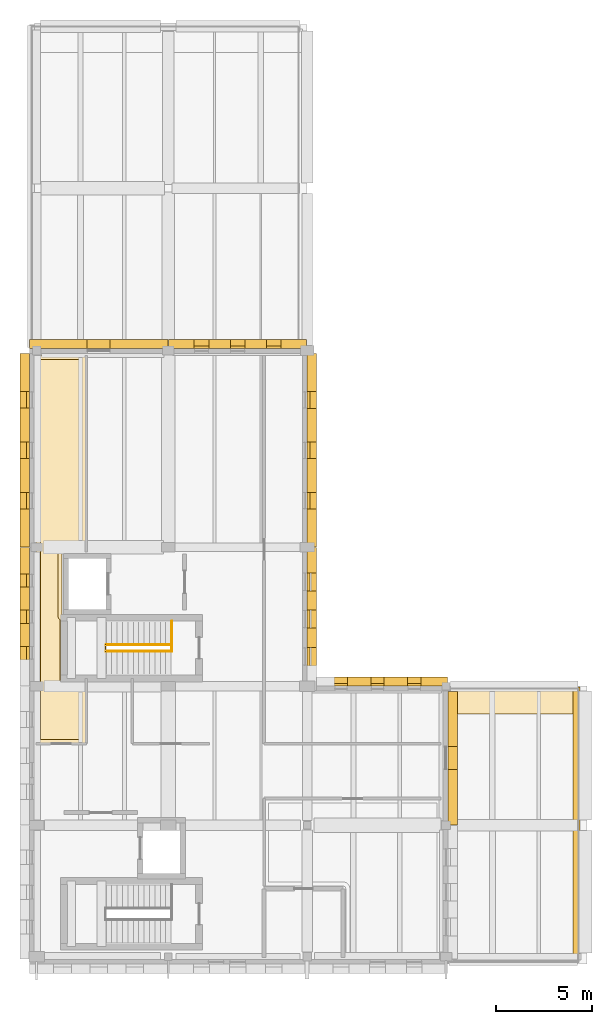
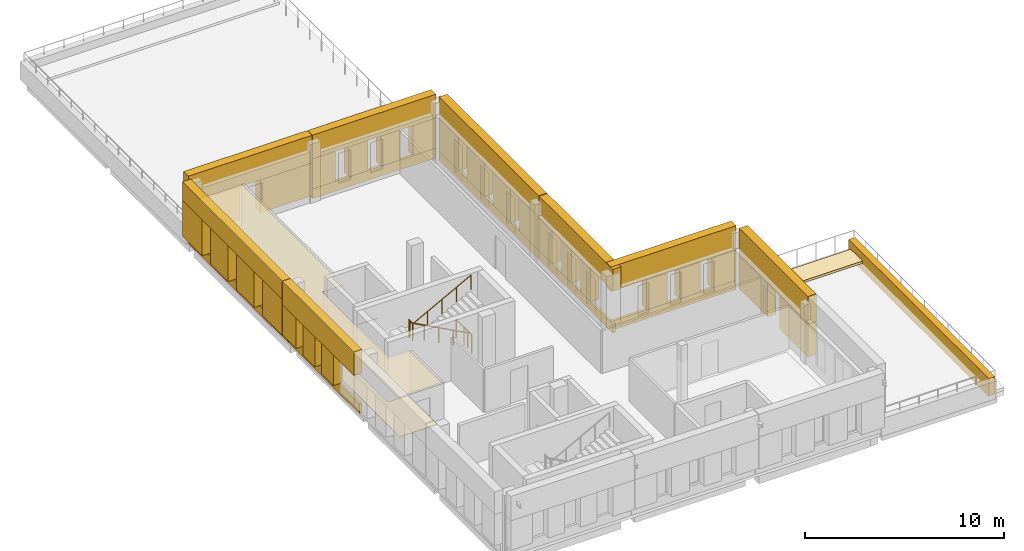
# One storey, part 7 of 8: 43 coverings, 4 railings.
"""IFC4 building model written with IfcOpenShell, lengths in metres."""

from ifc_helpers import new_model, si_unit, direction, frame, origin, origin_2d, place, context, subcontext, project, spatial, polyline, circle, outline, extrude, material, layer, layer_set, type_object, element, save


model = new_model("IFC4")

# Units and contexts
model_context = context("Model", 3, precision=1e-05, world=origin(), true_north=direction((0.0, 1.0)))
body_context = subcontext(model_context, "Body", "Model", "MODEL_VIEW")
ifc_project = project(units=[si_unit("LENGTHUNIT", "METRE"), si_unit("AREAUNIT", "SQUARE_METRE"), si_unit("VOLUMEUNIT", "CUBIC_METRE"), si_unit("PLANEANGLEUNIT", "RADIAN"), si_unit("MASSUNIT", "GRAM", prefix="KILO")], contexts=[model_context])

# Site, building, storey
site_placement = place(None, origin())
site = spatial("IfcSite", under=ifc_project, at=site_placement, CompositionType="ELEMENT")
building_placement = place(site_placement, origin())
building = spatial("IfcBuilding", under=site, at=building_placement, Name="Vardoun Plaza Health Centre", CompositionType="ELEMENT")
storey_placement = place(building_placement, frame((0.0, 0.0, 21.14990234375)))
storey = spatial("IfcBuildingStorey", under=building, at=storey_placement, Name="L05", CompositionType="ELEMENT", Elevation=21.14990234375)

# Coverings
ifc_material_1 = material(Name="Hygienic Acoustic Mineral-Fibre Ceiling", Category="concrete")
ifc_layer_1 = layer(ifc_material_1, 0.02490234375)
ifc_layer_set_1 = layer_set([ifc_layer_1], Name="Hygienic Acoustic Mineral-Fibre Ceiling")
covering_type_1 = type_object("IfcCoveringType", Name="CL-01", PredefinedType="CEILING", material=ifc_layer_set_1)
covering_1_placement = place(storey_placement, frame((0.0, 0.0, 2.580078125)))
element("IfcCovering", 1, at=covering_1_placement, inside=storey, type_object=covering_type_1, Name="Vaccination Immunisation Room Acoustic Ceiling", PredefinedType="CEILING", context=body_context, shape_type="SweptSolid", body=[
    extrude(outline(polyline([(4.860107421875, 36.0400390625), (7.449951171875, 36.0400390625), (7.449951171875, 25.860107421875), (6.199951171875, 25.860107421875), (6.198974609375, 25.860107421875), (6.197998046875, 25.85986328125), (6.197021484375, 25.859619140625), (6.1962890625, 25.859130859375), (6.1953125, 25.85888671875), (6.1943359375, 25.8583984375), (6.193603515625, 25.857666015625), (6.19287109375, 25.857177734375), (6.1923828125, 25.856201171875), (6.191650390625, 25.855712890625), (6.191162109375, 25.854736328125), (6.19091796875, 25.853759765625), (6.1904296875, 25.852783203125), (6.190185546875, 25.85205078125), (6.18994140625, 25.85107421875), (6.18994140625, 25.85009765625), (6.18994140625, 22.550048828125), (6.18994140625, 22.549072265625), (6.190185546875, 22.548095703125), (6.1904296875, 22.547119140625), (6.19091796875, 22.546142578125), (6.191162109375, 22.54541015625), (6.191650390625, 22.54443359375), (6.1923828125, 22.543701171875), (6.19287109375, 22.54296875), (6.193603515625, 22.542236328125), (6.1943359375, 22.541748046875), (6.1953125, 22.541259765625), (6.1962890625, 22.540771484375), (6.197021484375, 22.540283203125), (6.197998046875, 22.540283203125), (6.198974609375, 22.5400390625), (6.199951171875, 22.5400390625), (7.449951171875, 22.5400390625), (7.449951171875, 22.4599609375), (6.300048828125, 22.4599609375), (6.299072265625, 22.4599609375), (6.298095703125, 22.459716796875), (6.297119140625, 22.459716796875), (6.296142578125, 22.459228515625), (6.29541015625, 22.458740234375), (6.29443359375, 22.458251953125), (6.293701171875, 22.457763671875), (6.29296875, 22.45703125), (6.292236328125, 22.456298828125), (6.291748046875, 22.45556640625), (6.291259765625, 22.45458984375), (6.290771484375, 22.453857421875), (6.290283203125, 22.452880859375), (6.290283203125, 22.451904296875), (6.2900390625, 22.450927734375), (6.2900390625, 22.449951171875), (6.2900390625, 19.300048828125), (6.2900390625, 19.299072265625), (6.290283203125, 19.298095703125), (6.290283203125, 19.297119140625), (6.290771484375, 19.296142578125), (6.291259765625, 19.29541015625), (6.291748046875, 19.29443359375), (6.292236328125, 19.293701171875), (6.29296875, 19.29296875), (6.293701171875, 19.292236328125), (6.29443359375, 19.291748046875), (6.29541015625, 19.291259765625), (6.296142578125, 19.290771484375), (6.297119140625, 19.290283203125), (6.298095703125, 19.290283203125), (6.299072265625, 19.2900390625), (6.300048828125, 19.2900390625), (7.449951171875, 19.2900390625), (7.449951171875, 15.929931640625), (4.860107421875, 15.929931640625), (4.860107421875, 36.0400390625)])), origin(), (0.0, 0.0, 1.0), 0.02490234375),
])
ifc_material_2 = material(Name="Pale Limestone Concrete C35/45", Category="masonry")
ifc_layer_2 = layer(ifc_material_2, 0.080078125)
ifc_layer_set_2 = layer_set([ifc_layer_2], Name="Pale Limestone Concrete C35/45")
covering_type_2 = type_object("IfcCoveringType", Name="CL-EXT1", PredefinedType="CLADDING", material=ifc_layer_set_2)
covering_2_placement = place(storey_placement, frame((0.0, 0.0, 2.210205078125)))
element("IfcCovering", 2, at=covering_2_placement, inside=storey, type_object=covering_type_2, Name="V2 L05 Sculpted Concrete Eyebrow Hood 568", PredefinedType="CLADDING", context=body_context, shape_type="SweptSolid", body=[
    extrude(outline(polyline([(4.52001953125, 36.39990234375), (11.679931640625, 36.39990234375), (11.679931640625, 36.8798828125), (4.52001953125, 36.8798828125), (4.52001953125, 36.39990234375)])), origin(), (0.0, 0.0, 1.0), 1.68994140625),
])
covering_3_placement = place(storey_placement, frame((0.0, 0.0, 0.190185546875)))
element("IfcCovering", 3, at=covering_3_placement, inside=storey, type_object=covering_type_2, Name="V2 L05 Deep-Punched Slot Concrete Reveal Pier 569", PredefinedType="CLADDING", context=body_context, shape_type="SweptSolid", body=[
    extrude(outline(polyline([(4.52001953125, 36.39990234375), (7.5048828125, 36.39990234375), (7.5048828125, 36.8798828125), (4.52001953125, 36.8798828125), (4.52001953125, 36.39990234375)])), origin(), (0.0, 0.0, 1.0), 2.02001953125),
])
covering_4_placement = place(storey_placement, frame((0.0, 0.0, 0.190185546875)))
element("IfcCovering", 4, at=covering_4_placement, inside=storey, type_object=covering_type_2, Name="V2 L05 Deep-Punched Slot Concrete Reveal Pier 570", PredefinedType="CLADDING", context=body_context, shape_type="SweptSolid", body=[
    extrude(outline(polyline([(8.695068359375, 36.39990234375), (11.679931640625, 36.39990234375), (11.679931640625, 36.8798828125), (8.695068359375, 36.8798828125), (8.695068359375, 36.39990234375)])), origin(), (0.0, 0.0, 1.0), 2.02001953125),
])
covering_5_placement = place(storey_placement, origin())
element("IfcCovering", 5, at=covering_5_placement, inside=storey, type_object=covering_type_2, Name="V2 L05 Pale Concrete Sill Band 571", PredefinedType="CLADDING", context=body_context, shape_type="SweptSolid", body=[
    extrude(outline(polyline([(11.719970703125, 36.39990234375), (18.8798828125, 36.39990234375), (18.8798828125, 36.5400390625), (11.719970703125, 36.5400390625), (11.719970703125, 36.39990234375)])), origin(), (0.0, 0.0, 1.0), 0.60009765625),
])
covering_6_placement = place(storey_placement, frame((0.0, 0.0, 2.4501953125)))
element("IfcCovering", 6, at=covering_6_placement, inside=storey, type_object=covering_type_2, Name="V2 L05 Sculpted Concrete Eyebrow Hood 572", PredefinedType="CLADDING", context=body_context, shape_type="SweptSolid", body=[
    extrude(outline(polyline([(11.719970703125, 36.39990234375), (18.8798828125, 36.39990234375), (18.8798828125, 36.8798828125), (11.719970703125, 36.8798828125), (11.719970703125, 36.39990234375)])), origin(), (0.0, 0.0, 1.0), 1.449951171875),
])
covering_7_placement = place(storey_placement, frame((0.0, 0.0, 0.60009765625)))
element("IfcCovering", 7, at=covering_7_placement, inside=storey, type_object=covering_type_2, Name="V2 L05 Deep-Punched Slot Concrete Reveal Pier 573", PredefinedType="CLADDING", context=body_context, shape_type="SweptSolid", body=[
    extrude(outline(polyline([(11.719970703125, 36.39990234375), (13.048095703125, 36.39990234375), (13.048095703125, 36.8798828125), (11.719970703125, 36.8798828125), (11.719970703125, 36.39990234375)])), origin(), (0.0, 0.0, 1.0), 1.85009765625),
])
covering_8_placement = place(storey_placement, frame((0.0, 0.0, 0.60009765625)))
element("IfcCovering", 8, at=covering_8_placement, inside=storey, type_object=covering_type_2, Name="V2 L05 Deep-Punched Slot Concrete Reveal Pier 574", PredefinedType="CLADDING", context=body_context, shape_type="SweptSolid", body=[
    extrude(outline(polyline([(13.80810546875, 36.39990234375), (14.919921875, 36.39990234375), (14.919921875, 36.8798828125), (13.80810546875, 36.8798828125), (13.80810546875, 36.39990234375)])), origin(), (0.0, 0.0, 1.0), 1.85009765625),
])
covering_9_placement = place(storey_placement, frame((0.0, 0.0, 0.60009765625)))
element("IfcCovering", 9, at=covering_9_placement, inside=storey, type_object=covering_type_2, Name="V2 L05 Deep-Punched Slot Concrete Reveal Pier 575", PredefinedType="CLADDING", context=body_context, shape_type="SweptSolid", body=[
    extrude(outline(polyline([(15.679931640625, 36.39990234375), (16.7919921875, 36.39990234375), (16.7919921875, 36.8798828125), (15.679931640625, 36.8798828125), (15.679931640625, 36.39990234375)])), origin(), (0.0, 0.0, 1.0), 1.85009765625),
])
covering_10_placement = place(storey_placement, frame((0.0, 0.0, 0.60009765625)))
element("IfcCovering", 10, at=covering_10_placement, inside=storey, type_object=covering_type_2, Name="V2 L05 Deep-Punched Slot Concrete Reveal Pier 576", PredefinedType="CLADDING", context=body_context, shape_type="SweptSolid", body=[
    extrude(outline(polyline([(17.552001953125, 36.39990234375), (18.8798828125, 36.39990234375), (18.8798828125, 36.8798828125), (17.552001953125, 36.8798828125), (17.552001953125, 36.39990234375)])), origin(), (0.0, 0.0, 1.0), 1.85009765625),
])
covering_11_placement = place(storey_placement, origin())
element("IfcCovering", 11, at=covering_11_placement, inside=storey, type_object=covering_type_2, Name="V2 L05 Pale Concrete Sill Band 577", PredefinedType="CLADDING", context=body_context, shape_type="SweptSolid", body=[
    extrude(outline(polyline([(18.89990234375, 36.1298828125), (18.89990234375, 26.1201171875), (19.0400390625, 26.1201171875), (19.0400390625, 36.1298828125), (18.89990234375, 36.1298828125)])), origin(), (0.0, 0.0, 1.0), 0.550048828125),
])
covering_12_placement = place(storey_placement, frame((0.0, 0.0, 2.610107421875)))
element("IfcCovering", 12, at=covering_12_placement, inside=storey, type_object=covering_type_2, Name="V2 L05 Sculpted Concrete Eyebrow Hood 578", PredefinedType="CLADDING", context=body_context, shape_type="SweptSolid", body=[
    extrude(outline(polyline([(18.89990234375, 36.1298828125), (18.89990234375, 26.1201171875), (19.3798828125, 26.1201171875), (19.3798828125, 36.1298828125), (18.89990234375, 36.1298828125)])), origin(), (0.0, 0.0, 1.0), 1.2900390625),
])
covering_13_placement = place(storey_placement, frame((0.0, 0.0, 0.550048828125)))
element("IfcCovering", 13, at=covering_13_placement, inside=storey, type_object=covering_type_2, Name="V2 L05 Deep-Punched Slot Concrete Reveal Pier 579", PredefinedType="CLADDING", context=body_context, shape_type="SweptSolid", body=[
    extrude(outline(polyline([(18.89990234375, 36.1298828125), (18.89990234375, 34.173095703125), (19.3798828125, 34.173095703125), (19.3798828125, 36.1298828125), (18.89990234375, 36.1298828125)])), origin(), (0.0, 0.0, 1.0), 2.06005859375),
])
covering_14_placement = place(storey_placement, frame((0.0, 0.0, 0.550048828125)))
element("IfcCovering", 14, at=covering_14_placement, inside=storey, type_object=covering_type_2, Name="V2 L05 Deep-Punched Slot Concrete Reveal Pier 580", PredefinedType="CLADDING", context=body_context, shape_type="SweptSolid", body=[
    extrude(outline(polyline([(18.89990234375, 33.302978515625), (18.89990234375, 31.56005859375), (19.3798828125, 31.56005859375), (19.3798828125, 33.302978515625), (18.89990234375, 33.302978515625)])), origin(), (0.0, 0.0, 1.0), 2.06005859375),
])
covering_15_placement = place(storey_placement, frame((0.0, 0.0, 0.550048828125)))
element("IfcCovering", 15, at=covering_15_placement, inside=storey, type_object=covering_type_2, Name="V2 L05 Deep-Punched Slot Concrete Reveal Pier 581", PredefinedType="CLADDING", context=body_context, shape_type="SweptSolid", body=[
    extrude(outline(polyline([(18.89990234375, 30.68994140625), (18.89990234375, 28.947021484375), (19.3798828125, 28.947021484375), (19.3798828125, 30.68994140625), (18.89990234375, 30.68994140625)])), origin(), (0.0, 0.0, 1.0), 2.06005859375),
])
covering_16_placement = place(storey_placement, frame((0.0, 0.0, 0.550048828125)))
element("IfcCovering", 16, at=covering_16_placement, inside=storey, type_object=covering_type_2, Name="V2 L05 Deep-Punched Slot Concrete Reveal Pier 582", PredefinedType="CLADDING", context=body_context, shape_type="SweptSolid", body=[
    extrude(outline(polyline([(18.89990234375, 28.076904296875), (18.89990234375, 26.1201171875), (19.3798828125, 26.1201171875), (19.3798828125, 28.076904296875), (18.89990234375, 28.076904296875)])), origin(), (0.0, 0.0, 1.0), 2.06005859375),
])
covering_17_placement = place(storey_placement, origin())
element("IfcCovering", 17, at=covering_17_placement, inside=storey, type_object=covering_type_2, Name="V2 L05 Pale Concrete Sill Band 583", PredefinedType="CLADDING", context=body_context, shape_type="SweptSolid", body=[
    extrude(outline(polyline([(18.89990234375, 26.080078125), (18.89990234375, 18.669921875), (19.0400390625, 18.669921875), (19.0400390625, 26.080078125), (18.89990234375, 26.080078125)])), origin(), (0.0, 0.0, 1.0), 0.550048828125),
])
covering_18_placement = place(storey_placement, frame((0.0, 0.0, 2.570068359375)))
element("IfcCovering", 18, at=covering_18_placement, inside=storey, type_object=covering_type_2, Name="V2 L05 Sculpted Concrete Eyebrow Hood 584", PredefinedType="CLADDING", context=body_context, shape_type="SweptSolid", body=[
    extrude(outline(polyline([(18.89990234375, 26.080078125), (18.89990234375, 18.669921875), (19.3798828125, 18.669921875), (19.3798828125, 26.080078125), (18.89990234375, 26.080078125)])), origin(), (0.0, 0.0, 1.0), 1.330078125),
])
covering_19_placement = place(storey_placement, frame((0.0, 0.0, 0.550048828125)))
element("IfcCovering", 19, at=covering_19_placement, inside=storey, type_object=covering_type_2, Name="V2 L05 Deep-Punched Slot Concrete Reveal Pier 585", PredefinedType="CLADDING", context=body_context, shape_type="SweptSolid", body=[
    extrude(outline(polyline([(18.89990234375, 26.080078125), (18.89990234375, 24.777099609375), (19.3798828125, 24.777099609375), (19.3798828125, 26.080078125), (18.89990234375, 26.080078125)])), origin(), (0.0, 0.0, 1.0), 2.02001953125),
])
covering_20_placement = place(storey_placement, frame((0.0, 0.0, 0.550048828125)))
element("IfcCovering", 20, at=covering_20_placement, inside=storey, type_object=covering_type_2, Name="V2 L05 Deep-Punched Slot Concrete Reveal Pier 586", PredefinedType="CLADDING", context=body_context, shape_type="SweptSolid", body=[
    extrude(outline(polyline([(18.89990234375, 23.846923828125), (18.89990234375, 22.840087890625), (19.3798828125, 22.840087890625), (19.3798828125, 23.846923828125), (18.89990234375, 23.846923828125)])), origin(), (0.0, 0.0, 1.0), 2.02001953125),
])
covering_21_placement = place(storey_placement, frame((0.0, 0.0, 0.550048828125)))
element("IfcCovering", 21, at=covering_21_placement, inside=storey, type_object=covering_type_2, Name="V2 L05 Deep-Punched Slot Concrete Reveal Pier 587", PredefinedType="CLADDING", context=body_context, shape_type="SweptSolid", body=[
    extrude(outline(polyline([(18.89990234375, 21.909912109375), (18.89990234375, 20.903076171875), (19.3798828125, 20.903076171875), (19.3798828125, 21.909912109375), (18.89990234375, 21.909912109375)])), origin(), (0.0, 0.0, 1.0), 2.02001953125),
])
covering_22_placement = place(storey_placement, origin())
element("IfcCovering", 22, at=covering_22_placement, inside=storey, type_object=covering_type_2, Name="V2 L05 Pale Concrete Sill Band 589", PredefinedType="CLADDING", context=body_context, shape_type="SweptSolid", body=[
    extrude(outline(polyline([(18.919921875, 18.89990234375), (26.179931640625, 18.89990234375), (26.179931640625, 19.0400390625), (18.919921875, 19.0400390625), (18.919921875, 18.89990234375)])), origin(), (0.0, 0.0, 1.0), 0.550048828125),
])
covering_23_placement = place(storey_placement, frame((0.0, 0.0, 2.400146484375)))
element("IfcCovering", 23, at=covering_23_placement, inside=storey, type_object=covering_type_2, Name="V2 L05 Sculpted Concrete Eyebrow Hood 590", PredefinedType="CLADDING", context=body_context, shape_type="SweptSolid", body=[
    extrude(outline(polyline([(18.919921875, 18.89990234375), (26.179931640625, 18.89990234375), (26.179931640625, 19.3798828125), (18.919921875, 19.3798828125), (18.919921875, 18.89990234375)])), origin(), (0.0, 0.0, 1.0), 1.5),
])
covering_24_placement = place(storey_placement, frame((0.0, 0.0, 0.550048828125)))
element("IfcCovering", 24, at=covering_24_placement, inside=storey, type_object=covering_type_2, Name="V2 L05 Deep-Punched Slot Concrete Reveal Pier 592", PredefinedType="CLADDING", context=body_context, shape_type="SweptSolid", body=[
    extrude(outline(polyline([(20.991943359375, 18.89990234375), (22.2099609375, 18.89990234375), (22.2099609375, 19.3798828125), (20.991943359375, 19.3798828125), (20.991943359375, 18.89990234375)])), origin(), (0.0, 0.0, 1.0), 1.85009765625),
])
covering_25_placement = place(storey_placement, frame((0.0, 0.0, 0.550048828125)))
element("IfcCovering", 25, at=covering_25_placement, inside=storey, type_object=covering_type_2, Name="V2 L05 Deep-Punched Slot Concrete Reveal Pier 593", PredefinedType="CLADDING", context=body_context, shape_type="SweptSolid", body=[
    extrude(outline(polyline([(22.889892578125, 18.89990234375), (24.10791015625, 18.89990234375), (24.10791015625, 19.3798828125), (22.889892578125, 19.3798828125), (22.889892578125, 18.89990234375)])), origin(), (0.0, 0.0, 1.0), 1.85009765625),
])
covering_26_placement = place(storey_placement, frame((0.0, 0.0, 0.550048828125)))
element("IfcCovering", 26, at=covering_26_placement, inside=storey, type_object=covering_type_2, Name="V2 L05 Deep-Punched Slot Concrete Reveal Pier 594", PredefinedType="CLADDING", context=body_context, shape_type="SweptSolid", body=[
    extrude(outline(polyline([(24.7880859375, 18.89990234375), (26.179931640625, 18.89990234375), (26.179931640625, 19.3798828125), (24.7880859375, 19.3798828125), (24.7880859375, 18.89990234375)])), origin(), (0.0, 0.0, 1.0), 1.85009765625),
])
covering_27_placement = place(storey_placement, frame((0.0, 0.0, 2.210205078125)))
element("IfcCovering", 27, at=covering_27_placement, inside=storey, type_object=covering_type_2, Name="V2 L05 Sculpted Concrete Eyebrow Hood 595", PredefinedType="CLADDING", context=body_context, shape_type="SweptSolid", body=[
    extrude(outline(polyline([(26.199951171875, 18.6298828125), (26.199951171875, 11.719970703125), (26.679931640625, 11.719970703125), (26.679931640625, 18.6298828125), (26.199951171875, 18.6298828125)])), origin(), (0.0, 0.0, 1.0), 1.68994140625),
])
covering_28_placement = place(storey_placement, frame((0.0, 0.0, 0.190185546875)))
element("IfcCovering", 28, at=covering_28_placement, inside=storey, type_object=covering_type_2, Name="V2 L05 Deep-Punched Slot Concrete Reveal Pier 596", PredefinedType="CLADDING", context=body_context, shape_type="SweptSolid", body=[
    extrude(outline(polyline([(26.199951171875, 18.6298828125), (26.199951171875, 15.77001953125), (26.679931640625, 15.77001953125), (26.679931640625, 18.6298828125), (26.199951171875, 18.6298828125)])), origin(), (0.0, 0.0, 1.0), 2.02001953125),
])
covering_29_placement = place(storey_placement, frame((0.0, 0.0, 0.190185546875)))
element("IfcCovering", 29, at=covering_29_placement, inside=storey, type_object=covering_type_2, Name="V2 L05 Deep-Punched Slot Concrete Reveal Pier 597", PredefinedType="CLADDING", context=body_context, shape_type="SweptSolid", body=[
    extrude(outline(polyline([(26.199951171875, 14.580078125), (26.199951171875, 11.719970703125), (26.679931640625, 11.719970703125), (26.679931640625, 14.580078125), (26.199951171875, 14.580078125)])), origin(), (0.0, 0.0, 1.0), 2.02001953125),
])
covering_30_placement = place(storey_placement, origin())
element("IfcCovering", 30, at=covering_30_placement, inside=storey, type_object=covering_type_2, Name="V2 L05 Pale Concrete Sill Band 634", PredefinedType="CLADDING", context=body_context, shape_type="SweptSolid", body=[
    extrude(outline(polyline([(4.5, 18.919921875), (4.5, 26.080078125), (4.360107421875, 26.080078125), (4.360107421875, 18.919921875), (4.5, 18.919921875)])), origin(), (0.0, 0.0, 1.0), 0.60009765625),
])
covering_31_placement = place(storey_placement, frame((0.0, 0.0, 2.4501953125)))
element("IfcCovering", 31, at=covering_31_placement, inside=storey, type_object=covering_type_2, Name="V2 L05 Sculpted Concrete Eyebrow Hood 635", PredefinedType="CLADDING", context=body_context, shape_type="SweptSolid", body=[
    extrude(outline(polyline([(4.5, 18.919921875), (4.5, 26.080078125), (4.02001953125, 26.080078125), (4.02001953125, 18.919921875), (4.5, 18.919921875)])), origin(), (0.0, 0.0, 1.0), 1.449951171875),
])
covering_32_placement = place(storey_placement, frame((0.0, 0.0, 0.60009765625)))
element("IfcCovering", 32, at=covering_32_placement, inside=storey, type_object=covering_type_2, Name="V2 L05 Deep-Punched Slot Concrete Reveal Pier 637", PredefinedType="CLADDING", context=body_context, shape_type="SweptSolid", body=[
    extrude(outline(polyline([(4.5, 20.968017578125), (4.5, 22.159912109375), (4.02001953125, 22.159912109375), (4.02001953125, 20.968017578125), (4.5, 20.968017578125)])), origin(), (0.0, 0.0, 1.0), 1.85009765625),
])
covering_33_placement = place(storey_placement, frame((0.0, 0.0, 0.60009765625)))
element("IfcCovering", 33, at=covering_33_placement, inside=storey, type_object=covering_type_2, Name="V2 L05 Deep-Punched Slot Concrete Reveal Pier 638", PredefinedType="CLADDING", context=body_context, shape_type="SweptSolid", body=[
    extrude(outline(polyline([(4.5, 22.840087890625), (4.5, 24.031982421875), (4.02001953125, 24.031982421875), (4.02001953125, 22.840087890625), (4.5, 22.840087890625)])), origin(), (0.0, 0.0, 1.0), 1.85009765625),
])
covering_34_placement = place(storey_placement, frame((0.0, 0.0, 0.60009765625)))
element("IfcCovering", 34, at=covering_34_placement, inside=storey, type_object=covering_type_2, Name="V2 L05 Deep-Punched Slot Concrete Reveal Pier 639", PredefinedType="CLADDING", context=body_context, shape_type="SweptSolid", body=[
    extrude(outline(polyline([(4.5, 24.7119140625), (4.5, 26.080078125), (4.02001953125, 26.080078125), (4.02001953125, 24.7119140625), (4.5, 24.7119140625)])), origin(), (0.0, 0.0, 1.0), 1.85009765625),
])
covering_35_placement = place(storey_placement, origin())
element("IfcCovering", 35, at=covering_35_placement, inside=storey, type_object=covering_type_2, Name="V2 L05 Pale Concrete Sill Band 640", PredefinedType="CLADDING", context=body_context, shape_type="SweptSolid", body=[
    extrude(outline(polyline([(4.5, 26.1201171875), (4.5, 36.1298828125), (4.360107421875, 36.1298828125), (4.360107421875, 26.1201171875), (4.5, 26.1201171875)])), origin(), (0.0, 0.0, 1.0), 0.550048828125),
])
covering_36_placement = place(storey_placement, frame((0.0, 0.0, 2.75)))
element("IfcCovering", 36, at=covering_36_placement, inside=storey, type_object=covering_type_2, Name="V2 L05 Sculpted Concrete Eyebrow Hood 641", PredefinedType="CLADDING", context=body_context, shape_type="SweptSolid", body=[
    extrude(outline(polyline([(4.5, 26.1201171875), (4.5, 36.1298828125), (4.02001953125, 36.1298828125), (4.02001953125, 26.1201171875), (4.5, 26.1201171875)])), origin(), (0.0, 0.0, 1.0), 1.150146484375),
])
covering_37_placement = place(storey_placement, frame((0.0, 0.0, 0.550048828125)))
element("IfcCovering", 37, at=covering_37_placement, inside=storey, type_object=covering_type_2, Name="V2 L05 Deep-Punched Slot Concrete Reveal Pier 642", PredefinedType="CLADDING", context=body_context, shape_type="SweptSolid", body=[
    extrude(outline(polyline([(4.5, 26.1201171875), (4.5, 28.08203125), (4.02001953125, 28.08203125), (4.02001953125, 26.1201171875), (4.5, 26.1201171875)])), origin(), (0.0, 0.0, 1.0), 2.199951171875),
])
covering_38_placement = place(storey_placement, frame((0.0, 0.0, 0.550048828125)))
element("IfcCovering", 38, at=covering_38_placement, inside=storey, type_object=covering_type_2, Name="V2 L05 Deep-Punched Slot Concrete Reveal Pier 643", PredefinedType="CLADDING", context=body_context, shape_type="SweptSolid", body=[
    extrude(outline(polyline([(4.5, 28.94189453125), (4.5, 30.695068359375), (4.02001953125, 30.695068359375), (4.02001953125, 28.94189453125), (4.5, 28.94189453125)])), origin(), (0.0, 0.0, 1.0), 2.199951171875),
])
covering_39_placement = place(storey_placement, frame((0.0, 0.0, 0.550048828125)))
element("IfcCovering", 39, at=covering_39_placement, inside=storey, type_object=covering_type_2, Name="V2 L05 Deep-Punched Slot Concrete Reveal Pier 644", PredefinedType="CLADDING", context=body_context, shape_type="SweptSolid", body=[
    extrude(outline(polyline([(4.5, 31.554931640625), (4.5, 33.30810546875), (4.02001953125, 33.30810546875), (4.02001953125, 31.554931640625), (4.5, 31.554931640625)])), origin(), (0.0, 0.0, 1.0), 2.199951171875),
])
covering_40_placement = place(storey_placement, frame((0.0, 0.0, 0.550048828125)))
element("IfcCovering", 40, at=covering_40_placement, inside=storey, type_object=covering_type_2, Name="V2 L05 Deep-Punched Slot Concrete Reveal Pier 645", PredefinedType="CLADDING", context=body_context, shape_type="SweptSolid", body=[
    extrude(outline(polyline([(4.5, 34.16796875), (4.5, 36.1298828125), (4.02001953125, 36.1298828125), (4.02001953125, 34.16796875), (4.5, 34.16796875)])), origin(), (0.0, 0.0, 1.0), 2.199951171875),
])
covering_41_placement = place(storey_placement, frame((0.0, 0.0, -0.27978515625)))
element("IfcCovering", 41, at=covering_41_placement, inside=storey, type_object=covering_type_2, Name="V2 L05 Sculpted White Terrace Planter Ribbon E2", PredefinedType="CLADDING", context=body_context, shape_type="SweptSolid", body=[
    extrude(outline(polyline([(32.679931640625, 4.780029296875), (33.0400390625, 4.780029296875), (33.0400390625, 18.85009765625), (32.679931640625, 18.85009765625), (32.679931640625, 4.780029296875)])), origin(), (0.0, 0.0, 1.0), 1.08984375),
])
ifc_material_3 = material(Name="Seamless Conductive Clinical Vinyl Flooring", Category="concrete")
ifc_layer_3 = layer(ifc_material_3, 0.014892578125)
ifc_layer_set_3 = layer_set([ifc_layer_3], Name="Seamless Conductive Clinical Vinyl Flooring")
covering_type_3 = type_object("IfcCoveringType", Name="FL-01", PredefinedType="FLOORING", material=ifc_layer_set_3)
covering_42_placement = place(storey_placement, origin())
element("IfcCovering", 42, at=covering_42_placement, inside=storey, type_object=covering_type_3, Name="Vaccination Immunisation Room Floor Finish", PredefinedType="FLOORING", context=body_context, shape_type="SweptSolid", body=[
    extrude(outline(polyline([(5.070068359375, 35.830078125), (7.239990234375, 35.830078125), (7.239990234375, 26.070068359375), (6.199951171875, 26.070068359375), (6.178466796875, 26.06884765625), (6.156982421875, 26.06591796875), (6.135986328125, 26.060546875), (6.11572265625, 26.05322265625), (6.09619140625, 26.0439453125), (6.077880859375, 26.032958984375), (6.060302734375, 26.02001953125), (6.04443359375, 26.005615234375), (6.02978515625, 25.989501953125), (6.01708984375, 25.97216796875), (6.006103515625, 25.95361328125), (5.99658203125, 25.93408203125), (5.989501953125, 25.913818359375), (5.984130859375, 25.892822265625), (5.981201171875, 25.87158203125), (5.97998046875, 25.85009765625), (5.97998046875, 22.550048828125), (5.981201171875, 22.5283203125), (5.984130859375, 22.507080078125), (5.989501953125, 22.486083984375), (5.99658203125, 22.4658203125), (6.006103515625, 22.4462890625), (6.01708984375, 22.427734375), (6.02978515625, 22.410400390625), (6.04443359375, 22.394287109375), (6.060302734375, 22.3798828125), (6.077880859375, 22.3671875), (6.080078125, 22.36572265625), (6.080078125, 19.300048828125), (6.0810546875, 19.2783203125), (6.084228515625, 19.257080078125), (6.089599609375, 19.236083984375), (6.0966796875, 19.2158203125), (6.10595703125, 19.1962890625), (6.1171875, 19.177734375), (6.1298828125, 19.160400390625), (6.144287109375, 19.144287109375), (6.160400390625, 19.1298828125), (6.177734375, 19.1171875), (6.1962890625, 19.10595703125), (6.2158203125, 19.0966796875), (6.236083984375, 19.089599609375), (6.257080078125, 19.084228515625), (6.2783203125, 19.0810546875), (6.300048828125, 19.080078125), (7.239990234375, 19.080078125), (7.239990234375, 16.139892578125), (5.070068359375, 16.139892578125), (5.070068359375, 35.830078125)])), origin(), (0.0, 0.0, 1.0), 0.01513671875),
])
ifc_material_4 = material(Name="Planted Mediterranean Garden Substrate", Category="wood")
ifc_layer_4 = layer(ifc_material_4, 0.139892578125)
ifc_layer_set_4 = layer_set([ifc_layer_4], Name="Planted Mediterranean Garden Substrate")
covering_type_4 = type_object("IfcCoveringType", Name="CV-G1", PredefinedType="ROOFING", material=ifc_layer_set_4)
covering_43_placement = place(storey_placement, frame((0.0, 0.0, 0.190185546875)))
element("IfcCovering", 43, at=covering_43_placement, inside=storey, type_object=covering_type_4, Name="V2 L05 Garden Planter Bed 2", PredefinedType="ROOFING", context=body_context, shape_type="SweptSolid", body=[
    extrude(outline(polyline([(26.449951171875, 17.449951171875), (33.14990234375, 17.449951171875), (33.14990234375, 18.64990234375), (26.449951171875, 18.64990234375), (26.449951171875, 17.449951171875)])), origin(), (0.0, 0.0, 1.0), 0.139892578125),
])

# Railings
ifc_material_5 = material(Name="Painted Steel S275JR Stair-Well Guardrail", Category="steel")
railing_type_1 = type_object("IfcRailingType", Name="GR-04", PredefinedType="GUARDRAIL", material=ifc_material_5)
railing_1_placement = place(storey_placement, frame((11.889892578125, 20.705078125, 0.0)))
element("IfcRailing", 44, at=railing_1_placement, inside=storey, type_object=railing_type_1, Name="Stair ST-C2-L04 Upper Landing Well Guard", PredefinedType="GUARDRAIL", context=body_context, shape_type="SweptSolid", body=[
    extrude(circle(Radius=0.02392578125, at=origin_2d()), frame((0.0, 0.0, 1.09619140625), z_axis=(0.0, 1.0, 0.0), x_axis=(-1.0, 0.0, 0.0)), (0.0, 0.0, 1.0), 1.56494140625),
    extrude(circle(Radius=0.02099609375, at=origin_2d()), origin(), (0.0, 0.0, 1.0), 1.072021484375),
    extrude(circle(Radius=0.02099609375, at=origin_2d()), frame((0.0, 0.782470703125, 0.0)), (0.0, 0.0, 1.0), 1.072021484375),
    extrude(circle(Radius=0.02099609375, at=origin_2d()), frame((0.0, 1.56494140625, 0.0)), (0.0, 0.0, 1.0), 1.072021484375),
])
railing_2_placement = place(storey_placement, frame((8.449951171875, 20.705078125, 1.9501953125)))
element("IfcRailing", 45, at=railing_2_placement, inside=storey, type_object=railing_type_1, Name="Stair ST-C2-L05 Mid-Landing Well Guard", PredefinedType="GUARDRAIL", context=body_context, shape_type="SweptSolid", body=[
    extrude(circle(Radius=0.02392578125, at=origin_2d()), frame((0.0, 0.0, 1.09619140625), z_axis=(0.0, 1.0, 0.0), x_axis=(-1.0, 0.0, 0.0)), (0.0, 0.0, 1.0), 0.33984375),
    extrude(circle(Radius=0.02099609375, at=origin_2d()), origin(), (0.0, 0.0, 1.0), 1.072021484375),
    extrude(circle(Radius=0.02099609375, at=origin_2d()), frame((0.0, 0.33984375, 0.0)), (0.0, 0.0, 1.0), 1.072021484375),
])
ifc_material_6 = material(Name="Brushed Stainless Steel Grade 316L", Category="steel")
railing_type_2 = type_object("IfcRailingType", Name="HR-01", PredefinedType="HANDRAIL", material=ifc_material_6)
railing_3_placement = place(storey_placement, frame((11.85009765625, 21.044921875, 0.150146484375)))
element("IfcRailing", 46, at=railing_3_placement, inside=storey, type_object=railing_type_2, Name="Stair ST-C2-L05 Flight 1 Handrail", PredefinedType="HANDRAIL", context=body_context, shape_type="SweptSolid", body=[
    extrude(circle(Radius=0.02392578125, at=origin_2d()), frame((0.0, 0.0, 0.89599609375), z_axis=(-0.881480922165, 0.0, 0.47221963519), x_axis=(0.0, -1.0, 0.0)), (0.0, 0.0, 1.0), 3.811767578125),
    extrude(circle(Radius=0.02099609375, at=origin_2d()), origin(), (0.0, 0.0, 1.0), 0.871826171875),
    extrude(circle(Radius=0.02099609375, at=origin_2d()), frame((-0.840087890625, 0.0, 0.449951171875)), (0.0, 0.0, 1.0), 0.871826171875),
    extrude(circle(Radius=0.02099609375, at=origin_2d()), frame((-1.68017578125, 0.0, 0.89990234375)), (0.0, 0.0, 1.0), 0.871826171875),
    extrude(circle(Radius=0.02099609375, at=origin_2d()), frame((-2.52001953125, 0.0, 1.35009765625)), (0.0, 0.0, 1.0), 0.871826171875),
    extrude(circle(Radius=0.02099609375, at=origin_2d()), frame((-3.360107421875, 0.0, 1.800048828125)), (0.0, 0.0, 1.0), 0.871826171875),
])
railing_4_placement = place(storey_placement, frame((8.489990234375, 20.705078125, 2.10009765625)))
element("IfcRailing", 47, at=railing_4_placement, inside=storey, type_object=railing_type_2, Name="Stair ST-C2-L05 Flight 2 Handrail", PredefinedType="HANDRAIL", context=body_context, shape_type="SweptSolid", body=[
    extrude(circle(Radius=0.02392578125, at=origin_2d()), frame((0.0, 0.0, 0.89599609375), z_axis=(0.881480922165, 0.0, 0.47221963519), x_axis=(0.0, 1.0, 0.0)), (0.0, 0.0, 1.0), 3.811767578125),
    extrude(circle(Radius=0.02099609375, at=origin_2d()), origin(), (0.0, 0.0, 1.0), 0.871826171875),
    extrude(circle(Radius=0.02099609375, at=origin_2d()), frame((0.840087890625, 0.0, 0.449951171875)), (0.0, 0.0, 1.0), 0.871826171875),
    extrude(circle(Radius=0.02099609375, at=origin_2d()), frame((1.68017578125, 0.0, 0.89990234375)), (0.0, 0.0, 1.0), 0.871826171875),
    extrude(circle(Radius=0.02099609375, at=origin_2d()), frame((2.52001953125, 0.0, 1.35009765625)), (0.0, 0.0, 1.0), 0.871826171875),
    extrude(circle(Radius=0.02099609375, at=origin_2d()), frame((3.360107421875, 0.0, 1.800048828125)), (0.0, 0.0, 1.0), 0.871826171875),
])

save(model, "model.ifc")
